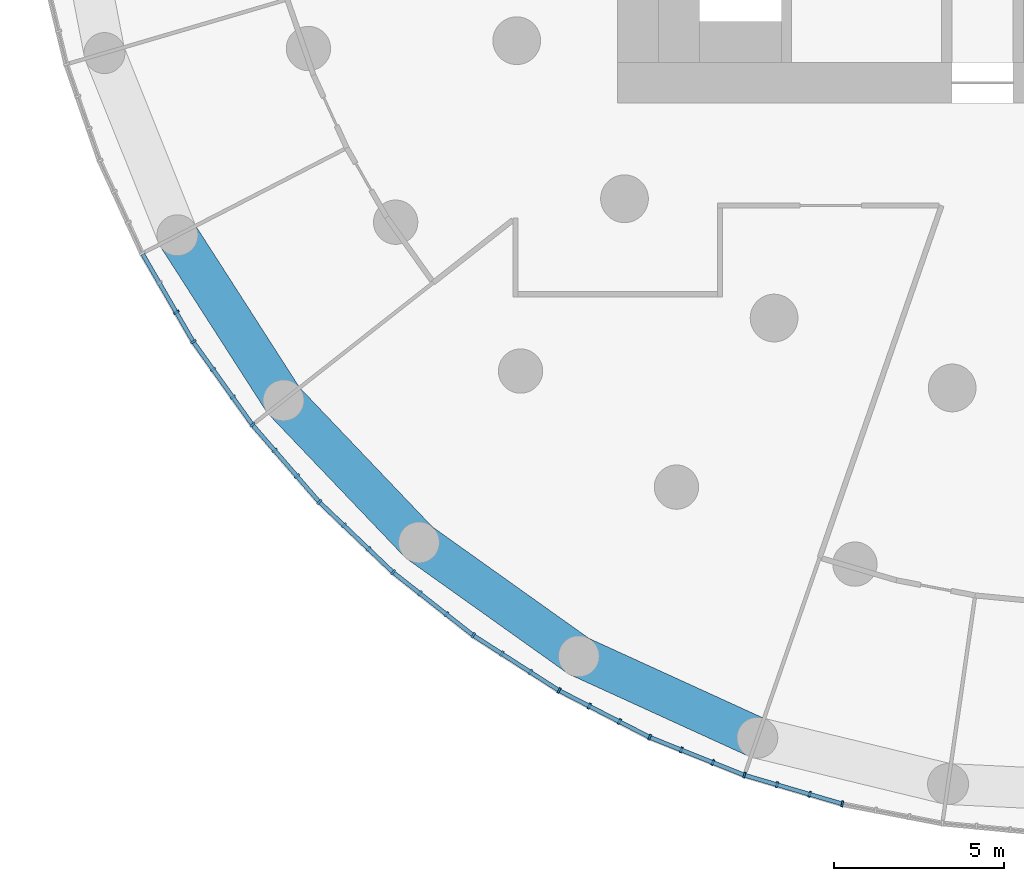
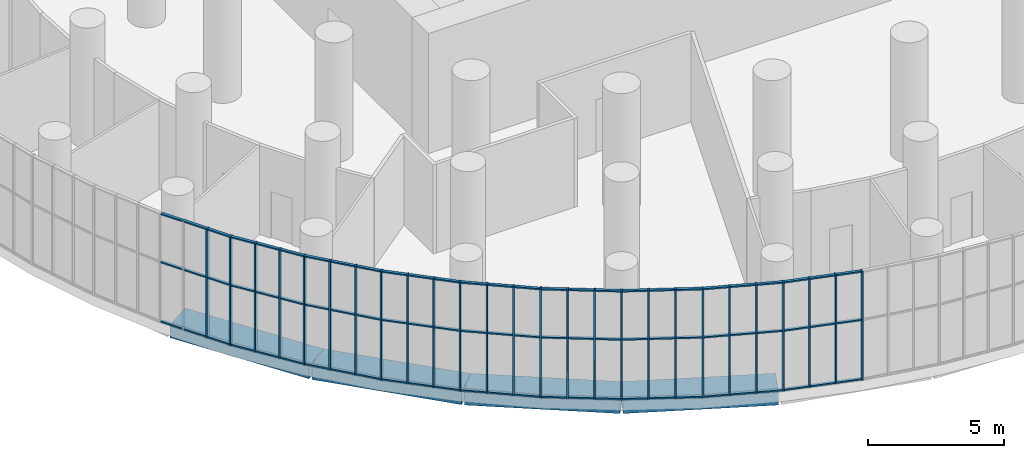
# One storey, part 2 of 27: 53 members, 4 beams, 10 elements without a shape of their own.
"""IFC4 building model written with IfcOpenShell, lengths in metres."""

from ifc_helpers import new_model, si_unit, direction, frame, origin, origin_2d, place, context, subcontext, project, spatial, rectangle, extrude, material, layer, layer_set, material_profile, profile_set, type_object, element, aggregate, save


model = new_model("IFC4")

# Units and contexts
model_context = context("Model", 3, precision=1e-05, world=origin(), true_north=direction((0.0, 1.0)))
body_context = subcontext(model_context, "Body", "Model", "MODEL_VIEW")
ifc_project = project(units=[si_unit("LENGTHUNIT", "METRE"), si_unit("AREAUNIT", "SQUARE_METRE"), si_unit("VOLUMEUNIT", "CUBIC_METRE"), si_unit("PLANEANGLEUNIT", "RADIAN"), si_unit("MASSUNIT", "GRAM", prefix="KILO")], contexts=[model_context])

# Site, building, storey
site_placement = place(None, origin())
site = spatial("IfcSite", under=ifc_project, at=site_placement, CompositionType="ELEMENT")
building_placement = place(site_placement, origin())
building = spatial("IfcBuilding", under=site, at=building_placement, Name="Tracery Tower", CompositionType="ELEMENT")
storey_placement = place(building_placement, frame((0.0, 0.0, 114.60009765625)))
storey = spatial("IfcBuildingStorey", under=building, at=storey_placement, Name="L29", CompositionType="ELEMENT", Elevation=114.60009765625)

# Beams
ifc_material_1 = material(Name="Concrete C60/75", Category="concrete")
ifc_material_profile_1 = material_profile(ifc_material_1, rectangle(XDim=1.199951171875, YDim=0.60009765625, at=origin_2d()), Name="RC 1200x600")
ifc_profile_set_1 = profile_set([ifc_material_profile_1], Name="Concrete C60/75")
beam_type = type_object("IfcBeamType", Name="Perimeter band beam 1200x600", PredefinedType="BEAM", material=ifc_profile_set_1)
beam_1_placement = place(storey_placement, frame((-26.9091796875, -13.87255859375, -0.75), z_axis=(0.540643964602, -0.841251510274, 0.0), x_axis=(0.841251510274, 0.540643964602, 0.0)))
element("IfcBeam", 1, at=beam_1_placement, inside=storey, type_object=beam_type, Name="Perimeter beam 0.19 under L29", PredefinedType="BEAM", context=body_context, shape_type="SweptSolid", body=[
    extrude(rectangle(XDim=1.199951171875, YDim=0.60009765625, at=origin_2d()), origin(), (0.0, 0.0, 1.0), 5.755859375),
])
beam_2_placement = place(storey_placement, frame((-23.79736328125, -18.714599609375, -0.75), z_axis=(0.690087218267, -0.723726212863, 0.0), x_axis=(0.723726212863, 0.690087218267, 0.0)))
element("IfcBeam", 2, at=beam_2_placement, inside=storey, type_object=beam_type, Name="Perimeter beam 0.20 under L29", PredefinedType="BEAM", context=body_context, shape_type="SweptSolid", body=[
    extrude(rectangle(XDim=1.199951171875, YDim=0.60009765625, at=origin_2d()), origin(), (0.0, 0.0, 1.0), 5.75537109375),
])
for number, where, z_axis, x_axis, name in (
    (3, (-19.82568359375, -22.8798828125, -0.75), (0.8145780864, -0.580053912285, 0.0), (0.580053912285, 0.8145780864, 0.0), "Perimeter beam 0.21 under L29"),
    (4, (-15.13720703125, -26.218505859375, -0.75), (0.909618316865, -0.415444963411, 0.0), (0.415444963411, 0.909618316865, 0.0), "Perimeter beam 0.22 under L29"),
):
    element("IfcBeam", number, at=place(storey_placement, frame(where, z_axis=z_axis, x_axis=x_axis)), inside=storey, type_object=beam_type, Name=name, PredefinedType="BEAM", context=body_context, shape_type="SweptSolid", body=[
        extrude(rectangle(XDim=1.199951171875, YDim=0.60009765625, at=origin_2d()), origin(), (0.0, 0.0, 1.0), 5.755615234375),
    ])

# Curtain wall, member
ifc_material_2 = material(Name="Aluminium curtain wall with tinted glass", Category="aluminium")
ifc_layer = layer(ifc_material_2, 0.179931640625)
ifc_layer_set = layer_set([ifc_layer], Name="Sky lounge 1 tracery curtain wall")
curtain_wall_type = type_object("IfcCurtainWallType", Name="Sky lounge 1 tracery curtain wall", PredefinedType="NOTDEFINED", material=ifc_layer_set)
curtain_wall_1_placement = place(storey_placement, origin())
curtain_wall_1 = element("IfcCurtainWall", 5, at=curtain_wall_1_placement, inside=storey, type_object=curtain_wall_type, Name="Sky lounge 1 curtain wall run 39", PredefinedType="NOTDEFINED")
ifc_material_3 = material(Name="Aluminium, bronze anodised", Category="aluminium")
ifc_material_profile_2 = material_profile(ifc_material_3, rectangle(XDim=0.179931640625, YDim=0.06005859375, at=origin_2d()), Name="AL 60x180")
ifc_profile_set_2 = profile_set([ifc_material_profile_2], Name="Aluminium, bronze anodised")
member_type_1 = type_object("IfcMemberType", Name="Sky lounge 1 mullion 60 x 180", PredefinedType="MULLION", material=ifc_profile_set_2)
member_1_placement = place(storey_placement, frame((-26.94287109375, -16.131103515625, 0.0), z_axis=(0.0, 0.0, 1.0), x_axis=(0.866025403784, 0.5, 0.0)))
member_1 = element("IfcMember", 6, at=member_1_placement, type_object=member_type_1, Name="Sky lounge 1 curtain wall run 39 mullion 3", PredefinedType="MULLION", context=body_context, shape_type="SweptSolid", body=[
    extrude(rectangle(XDim=0.179931640625, YDim=0.06005859375, at=origin_2d()), origin(), (0.0, 0.0, 1.0), 4.89990234375),
])

# Curtain wall, members
curtain_wall_2_placement = place(storey_placement, origin())
curtain_wall_2 = element("IfcCurtainWall", 7, at=curtain_wall_2_placement, inside=storey, type_object=curtain_wall_type, Name="Sky lounge 1 curtain wall run 40", PredefinedType="NOTDEFINED")
member_2_placement = place(storey_placement, frame((-26.4443359375, -16.994873046875, 0.0), z_axis=(0.0, 0.0, 1.0), x_axis=(0.814575952046, 0.580056909578, 0.0)))
member_2 = element("IfcMember", 8, at=member_2_placement, type_object=member_type_1, Name="Sky lounge 1 curtain wall run 40 mullion 1", PredefinedType="MULLION", context=body_context, shape_type="SweptSolid", body=[
    extrude(rectangle(XDim=0.179931640625, YDim=0.06005859375, at=origin_2d()), origin(), (0.0, 0.0, 1.0), 4.89990234375),
])
member_3_placement = place(storey_placement, frame((-25.865966796875, -17.80712890625, 0.0), z_axis=(0.0, 0.0, 1.0), x_axis=(0.814575952046, 0.580056909578, 0.0)))
member_3 = element("IfcMember", 9, at=member_3_placement, type_object=member_type_1, Name="Sky lounge 1 curtain wall run 40 mullion 2", PredefinedType="MULLION", context=body_context, shape_type="SweptSolid", body=[
    extrude(rectangle(XDim=0.179931640625, YDim=0.06005859375, at=origin_2d()), origin(), (0.0, 0.0, 1.0), 4.89990234375),
])
member_4_placement = place(storey_placement, frame((-25.28759765625, -18.619384765625, 0.0), z_axis=(0.0, 0.0, 1.0), x_axis=(0.814575952046, 0.580056909578, 0.0)))
member_4 = element("IfcMember", 10, at=member_4_placement, type_object=member_type_1, Name="Sky lounge 1 curtain wall run 40 mullion 3", PredefinedType="MULLION", context=body_context, shape_type="SweptSolid", body=[
    extrude(rectangle(XDim=0.179931640625, YDim=0.06005859375, at=origin_2d()), origin(), (0.0, 0.0, 1.0), 4.89990234375),
])

curtain_wall_3_placement = place(storey_placement, origin())
curtain_wall_3 = element("IfcCurtainWall", 11, at=curtain_wall_3_placement, inside=storey, type_object=curtain_wall_type, Name="Sky lounge 1 curtain wall run 41", PredefinedType="NOTDEFINED")
member_5_placement = place(storey_placement, frame((-24.709228515625, -19.431396484375, 0.0), z_axis=(0.0, 0.0, 1.0), x_axis=(0.755749574355, 0.654860733944, 0.0)))
member_5 = element("IfcMember", 12, at=member_5_placement, type_object=member_type_1, Name="Sky lounge 1 curtain wall run 41 mullion 1", PredefinedType="MULLION", context=body_context, shape_type="SweptSolid", body=[
    extrude(rectangle(XDim=0.179931640625, YDim=0.06005859375, at=origin_2d()), origin(), (0.0, 0.0, 1.0), 4.89990234375),
])
member_6_placement = place(storey_placement, frame((-24.05615234375, -20.18505859375, 0.0), z_axis=(0.0, 0.0, 1.0), x_axis=(0.755749574355, 0.654860733944, 0.0)))
member_6 = element("IfcMember", 13, at=member_6_placement, type_object=member_type_1, Name="Sky lounge 1 curtain wall run 41 mullion 2", PredefinedType="MULLION", context=body_context, shape_type="SweptSolid", body=[
    extrude(rectangle(XDim=0.179931640625, YDim=0.06005859375, at=origin_2d()), origin(), (0.0, 0.0, 1.0), 4.89990234375),
])
member_7_placement = place(storey_placement, frame((-23.4033203125, -20.938720703125, 0.0), z_axis=(0.0, 0.0, 1.0), x_axis=(0.755749574355, 0.654860733944, 0.0)))
member_7 = element("IfcMember", 14, at=member_7_placement, type_object=member_type_1, Name="Sky lounge 1 curtain wall run 41 mullion 3", PredefinedType="MULLION", context=body_context, shape_type="SweptSolid", body=[
    extrude(rectangle(XDim=0.179931640625, YDim=0.06005859375, at=origin_2d()), origin(), (0.0, 0.0, 1.0), 4.89990234375),
])

curtain_wall_4_placement = place(storey_placement, origin())
curtain_wall_4 = element("IfcCurtainWall", 15, at=curtain_wall_4_placement, inside=storey, type_object=curtain_wall_type, Name="Sky lounge 1 curtain wall run 42", PredefinedType="NOTDEFINED")
member_8_placement = place(storey_placement, frame((-22.750244140625, -21.6923828125, 0.0), z_axis=(0.0, 0.0, 1.0), x_axis=(0.690079011478, 0.723734038109, 0.0)))
member_8 = element("IfcMember", 16, at=member_8_placement, type_object=member_type_1, Name="Sky lounge 1 curtain wall run 42 mullion 1", PredefinedType="MULLION", context=body_context, shape_type="SweptSolid", body=[
    extrude(rectangle(XDim=0.179931640625, YDim=0.06005859375, at=origin_2d()), origin(), (0.0, 0.0, 1.0), 4.89990234375),
])
member_9_placement = place(storey_placement, frame((-22.028564453125, -22.38037109375, 0.0), z_axis=(0.0, 0.0, 1.0), x_axis=(0.690079011478, 0.723734038109, 0.0)))
member_9 = element("IfcMember", 17, at=member_9_placement, type_object=member_type_1, Name="Sky lounge 1 curtain wall run 42 mullion 2", PredefinedType="MULLION", context=body_context, shape_type="SweptSolid", body=[
    extrude(rectangle(XDim=0.179931640625, YDim=0.06005859375, at=origin_2d()), origin(), (0.0, 0.0, 1.0), 4.89990234375),
])
member_10_placement = place(storey_placement, frame((-21.306884765625, -23.068603515625, 0.0), z_axis=(0.0, 0.0, 1.0), x_axis=(0.690079011478, 0.723734038109, 0.0)))
member_10 = element("IfcMember", 18, at=member_10_placement, type_object=member_type_1, Name="Sky lounge 1 curtain wall run 42 mullion 3", PredefinedType="MULLION", context=body_context, shape_type="SweptSolid", body=[
    extrude(rectangle(XDim=0.179931640625, YDim=0.06005859375, at=origin_2d()), origin(), (0.0, 0.0, 1.0), 4.89990234375),
])

curtain_wall_5_placement = place(storey_placement, origin())
curtain_wall_5 = element("IfcCurtainWall", 19, at=curtain_wall_5_placement, inside=storey, type_object=curtain_wall_type, Name="Sky lounge 1 curtain wall run 43", PredefinedType="NOTDEFINED")
member_11_placement = place(storey_placement, frame((-20.585205078125, -23.756591796875, 0.0), z_axis=(0.0, 0.0, 1.0), x_axis=(0.618158986223, 0.786053094741, 0.0)))
member_11 = element("IfcMember", 20, at=member_11_placement, type_object=member_type_1, Name="Sky lounge 1 curtain wall run 43 mullion 1", PredefinedType="MULLION", context=body_context, shape_type="SweptSolid", body=[
    extrude(rectangle(XDim=0.179931640625, YDim=0.06005859375, at=origin_2d()), origin(), (0.0, 0.0, 1.0), 4.89990234375),
])
member_12_placement = place(storey_placement, frame((-19.801513671875, -24.373046875, 0.0), z_axis=(0.0, 0.0, 1.0), x_axis=(0.618158986223, 0.786053094741, 0.0)))
member_12 = element("IfcMember", 21, at=member_12_placement, type_object=member_type_1, Name="Sky lounge 1 curtain wall run 43 mullion 2", PredefinedType="MULLION", context=body_context, shape_type="SweptSolid", body=[
    extrude(rectangle(XDim=0.179931640625, YDim=0.06005859375, at=origin_2d()), origin(), (0.0, 0.0, 1.0), 4.89990234375),
])
member_13_placement = place(storey_placement, frame((-19.017578125, -24.989501953125, 0.0), z_axis=(0.0, 0.0, 1.0), x_axis=(0.618158986223, 0.786053094741, 0.0)))
member_13 = element("IfcMember", 22, at=member_13_placement, type_object=member_type_1, Name="Sky lounge 1 curtain wall run 43 mullion 3", PredefinedType="MULLION", context=body_context, shape_type="SweptSolid", body=[
    extrude(rectangle(XDim=0.179931640625, YDim=0.06005859375, at=origin_2d()), origin(), (0.0, 0.0, 1.0), 4.89990234375),
])

curtain_wall_6_placement = place(storey_placement, origin())
curtain_wall_6 = element("IfcCurtainWall", 23, at=curtain_wall_6_placement, inside=storey, type_object=curtain_wall_type, Name="Sky lounge 1 curtain wall run 44", PredefinedType="NOTDEFINED")
member_14_placement = place(storey_placement, frame((-18.23388671875, -25.605712890625, 0.0), z_axis=(0.0, 0.0, 1.0), x_axis=(0.540640817452, 0.841253532834, 0.0)))
member_14 = element("IfcMember", 24, at=member_14_placement, type_object=member_type_1, Name="Sky lounge 1 curtain wall run 44 mullion 1", PredefinedType="MULLION", context=body_context, shape_type="SweptSolid", body=[
    extrude(rectangle(XDim=0.179931640625, YDim=0.06005859375, at=origin_2d()), origin(), (0.0, 0.0, 1.0), 4.89990234375),
])
member_15_placement = place(storey_placement, frame((-17.39501953125, -26.144775390625, 0.0), z_axis=(0.0, 0.0, 1.0), x_axis=(0.540640817452, 0.841253532834, 0.0)))
member_15 = element("IfcMember", 25, at=member_15_placement, type_object=member_type_1, Name="Sky lounge 1 curtain wall run 44 mullion 2", PredefinedType="MULLION", context=body_context, shape_type="SweptSolid", body=[
    extrude(rectangle(XDim=0.179931640625, YDim=0.06005859375, at=origin_2d()), origin(), (0.0, 0.0, 1.0), 4.89990234375),
])
member_16_placement = place(storey_placement, frame((-16.55615234375, -26.68408203125, 0.0), z_axis=(0.0, 0.0, 1.0), x_axis=(0.540640817452, 0.841253532834, 0.0)))
member_16 = element("IfcMember", 26, at=member_16_placement, type_object=member_type_1, Name="Sky lounge 1 curtain wall run 44 mullion 3", PredefinedType="MULLION", context=body_context, shape_type="SweptSolid", body=[
    extrude(rectangle(XDim=0.179931640625, YDim=0.06005859375, at=origin_2d()), origin(), (0.0, 0.0, 1.0), 4.89990234375),
])

curtain_wall_7_placement = place(storey_placement, origin())
curtain_wall_7 = element("IfcCurtainWall", 27, at=curtain_wall_7_placement, inside=storey, type_object=curtain_wall_type, Name="Sky lounge 1 curtain wall run 45", PredefinedType="NOTDEFINED")
member_17_placement = place(storey_placement, frame((-15.71728515625, -27.22314453125, 0.0), z_axis=(0.0, 0.0, 1.0), x_axis=(0.458226521732, 0.888835448653, 0.0)))
member_17 = element("IfcMember", 28, at=member_17_placement, type_object=member_type_1, Name="Sky lounge 1 curtain wall run 45 mullion 1", PredefinedType="MULLION", context=body_context, shape_type="SweptSolid", body=[
    extrude(rectangle(XDim=0.179931640625, YDim=0.06005859375, at=origin_2d()), origin(), (0.0, 0.0, 1.0), 4.89990234375),
])
member_18_placement = place(storey_placement, frame((-14.8310546875, -27.679931640625, 0.0), z_axis=(0.0, 0.0, 1.0), x_axis=(0.458226521732, 0.888835448653, 0.0)))
member_18 = element("IfcMember", 29, at=member_18_placement, type_object=member_type_1, Name="Sky lounge 1 curtain wall run 45 mullion 2", PredefinedType="MULLION", context=body_context, shape_type="SweptSolid", body=[
    extrude(rectangle(XDim=0.179931640625, YDim=0.06005859375, at=origin_2d()), origin(), (0.0, 0.0, 1.0), 4.89990234375),
])
member_19_placement = place(storey_placement, frame((-13.944580078125, -28.136962890625, 0.0), z_axis=(0.0, 0.0, 1.0), x_axis=(0.458226521732, 0.888835448653, 0.0)))
member_19 = element("IfcMember", 30, at=member_19_placement, type_object=member_type_1, Name="Sky lounge 1 curtain wall run 45 mullion 3", PredefinedType="MULLION", context=body_context, shape_type="SweptSolid", body=[
    extrude(rectangle(XDim=0.179931640625, YDim=0.06005859375, at=origin_2d()), origin(), (0.0, 0.0, 1.0), 4.89990234375),
])

curtain_wall_8_placement = place(storey_placement, origin())
curtain_wall_8 = element("IfcCurtainWall", 31, at=curtain_wall_8_placement, inside=storey, type_object=curtain_wall_type, Name="Sky lounge 1 curtain wall run 46", PredefinedType="NOTDEFINED")
member_20_placement = place(storey_placement, frame((-13.058349609375, -28.59375, 0.0), z_axis=(0.0, 0.0, 1.0), x_axis=(0.371662455657, 0.928367933017, 0.0)))
member_20 = element("IfcMember", 32, at=member_20_placement, type_object=member_type_1, Name="Sky lounge 1 curtain wall run 46 mullion 1", PredefinedType="MULLION", context=body_context, shape_type="SweptSolid", body=[
    extrude(rectangle(XDim=0.179931640625, YDim=0.06005859375, at=origin_2d()), origin(), (0.0, 0.0, 1.0), 4.89990234375),
])
member_21_placement = place(storey_placement, frame((-12.132568359375, -28.96435546875, 0.0), z_axis=(0.0, 0.0, 1.0), x_axis=(0.371662455657, 0.928367933017, 0.0)))
member_21 = element("IfcMember", 33, at=member_21_placement, type_object=member_type_1, Name="Sky lounge 1 curtain wall run 46 mullion 2", PredefinedType="MULLION", context=body_context, shape_type="SweptSolid", body=[
    extrude(rectangle(XDim=0.179931640625, YDim=0.06005859375, at=origin_2d()), origin(), (0.0, 0.0, 1.0), 4.89990234375),
])
member_22_placement = place(storey_placement, frame((-11.20703125, -29.3349609375, 0.0), z_axis=(0.0, 0.0, 1.0), x_axis=(0.371662455657, 0.928367933017, 0.0)))
member_22 = element("IfcMember", 34, at=member_22_placement, type_object=member_type_1, Name="Sky lounge 1 curtain wall run 46 mullion 3", PredefinedType="MULLION", context=body_context, shape_type="SweptSolid", body=[
    extrude(rectangle(XDim=0.179931640625, YDim=0.06005859375, at=origin_2d()), origin(), (0.0, 0.0, 1.0), 4.89990234375),
])

curtain_wall_9_placement = place(storey_placement, origin())
curtain_wall_9 = element("IfcCurtainWall", 35, at=curtain_wall_9_placement, inside=storey, type_object=curtain_wall_type, Name="Sky lounge 1 curtain wall run 47", PredefinedType="NOTDEFINED")
member_23_placement = place(storey_placement, frame((-10.28125, -29.70556640625, 0.0), z_axis=(0.0, 0.0, 1.0), x_axis=(0.281732556848, 0.959492973613, 0.0)))
member_23 = element("IfcMember", 36, at=member_23_placement, type_object=member_type_1, Name="Sky lounge 1 curtain wall run 47 mullion 1", PredefinedType="MULLION", context=body_context, shape_type="SweptSolid", body=[
    extrude(rectangle(XDim=0.179931640625, YDim=0.06005859375, at=origin_2d()), origin(), (0.0, 0.0, 1.0), 4.89990234375),
])
member_24_placement = place(storey_placement, frame((-9.324462890625, -29.986572265625, 0.0), z_axis=(0.0, 0.0, 1.0), x_axis=(0.281732556848, 0.959492973613, 0.0)))
member_24 = element("IfcMember", 37, at=member_24_placement, type_object=member_type_1, Name="Sky lounge 1 curtain wall run 47 mullion 2", PredefinedType="MULLION", context=body_context, shape_type="SweptSolid", body=[
    extrude(rectangle(XDim=0.179931640625, YDim=0.06005859375, at=origin_2d()), origin(), (0.0, 0.0, 1.0), 4.89990234375),
])
member_25_placement = place(storey_placement, frame((-8.36767578125, -30.267578125, 0.0), z_axis=(0.0, 0.0, 1.0), x_axis=(0.281732556848, 0.959492973613, 0.0)))
member_25 = element("IfcMember", 38, at=member_25_placement, type_object=member_type_1, Name="Sky lounge 1 curtain wall run 47 mullion 3", PredefinedType="MULLION", context=body_context, shape_type="SweptSolid", body=[
    extrude(rectangle(XDim=0.179931640625, YDim=0.06005859375, at=origin_2d()), origin(), (0.0, 0.0, 1.0), 4.89990234375),
])

# Curtain wall, member
curtain_wall_10_placement = place(storey_placement, origin())
curtain_wall_10 = element("IfcCurtainWall", 39, at=curtain_wall_10_placement, inside=storey, type_object=curtain_wall_type, Name="Sky lounge 1 curtain wall run 48", PredefinedType="NOTDEFINED")
member_26_placement = place(storey_placement, frame((-7.410888671875, -30.54833984375, 0.0), z_axis=(0.0, 0.0, 1.0), x_axis=(0.189251244359, 0.981928697263, 0.0)))
member_26 = element("IfcMember", 40, at=member_26_placement, type_object=member_type_1, Name="Sky lounge 1 curtain wall run 48 mullion 1", PredefinedType="MULLION", context=body_context, shape_type="SweptSolid", body=[
    extrude(rectangle(XDim=0.179931640625, YDim=0.06005859375, at=origin_2d()), origin(), (0.0, 0.0, 1.0), 4.89990234375),
])
aggregate(curtain_wall_10, [member_26])

# Member
ifc_material_4 = material(Name="Aluminium, bronze anodised", Category="aluminium")
ifc_material_profile_3 = material_profile(ifc_material_4, rectangle(XDim=0.1201171875, YDim=0.06005859375, at=origin_2d()), Name="AL 60x120")
ifc_profile_set_3 = profile_set([ifc_material_profile_3], Name="Aluminium, bronze anodised")
member_type_2 = type_object("IfcMemberType", Name="Sky lounge 1 transom 60 x 120", PredefinedType="USERDEFINED", material=ifc_profile_set_3)
member_27_placement = place(storey_placement, frame((-27.925048828125, -14.43017578125, 0.02978515625), z_axis=(0.499982003349, -0.866035793907, 0.0), x_axis=(0.866035793907, 0.499982003349, 0.0)))
member_27 = element("IfcMember", 41, at=member_27_placement, type_object=member_type_2, Name="Sky lounge 1 curtain wall run 39 transom 1", ObjectType="TRANSOM", PredefinedType="USERDEFINED", context=body_context, shape_type="SweptSolid", body=[
    extrude(rectangle(XDim=0.1201171875, YDim=0.06005859375, at=origin_2d()), origin(), (0.0, 0.0, 1.0), 2.93115234375),
])

member_28_placement = place(storey_placement, frame((-27.925048828125, -14.43017578125, 2.699951171875), z_axis=(0.499982003349, -0.866035793907, 0.0), x_axis=(0.866035793907, 0.499982003349, 0.0)))
member_28 = element("IfcMember", 42, at=member_28_placement, type_object=member_type_2, Name="Sky lounge 1 curtain wall run 39 transom 2", ObjectType="TRANSOM", PredefinedType="USERDEFINED", context=body_context, shape_type="SweptSolid", body=[
    extrude(rectangle(XDim=0.1201171875, YDim=0.06005859375, at=origin_2d()), origin(), (0.0, 0.0, 1.0), 2.93115234375),
])

member_29_placement = place(storey_placement, frame((-27.925048828125, -14.43017578125, 4.869873046875), z_axis=(0.499982003349, -0.866035793907, 0.0), x_axis=(0.866035793907, 0.499982003349, 0.0)))
member_29 = element("IfcMember", 43, at=member_29_placement, type_object=member_type_2, Name="Sky lounge 1 curtain wall run 39 transom 3", ObjectType="TRANSOM", PredefinedType="USERDEFINED", context=body_context, shape_type="SweptSolid", body=[
    extrude(rectangle(XDim=0.1201171875, YDim=0.06005859375, at=origin_2d()), origin(), (0.0, 0.0, 1.0), 2.93115234375),
])

aggregate(curtain_wall_1, [member_1, member_27, member_28, member_29])

member_30_placement = place(storey_placement, frame((-26.427001953125, -17.019287109375, 0.02978515625), z_axis=(0.58009523592, -0.814548658622, 0.0), x_axis=(0.814548658622, 0.58009523592, 0.0)))
member_30 = element("IfcMember", 44, at=member_30_placement, type_object=member_type_2, Name="Sky lounge 1 curtain wall run 40 transom 1", ObjectType="TRANSOM", PredefinedType="USERDEFINED", context=body_context, shape_type="SweptSolid", body=[
    extrude(rectangle(XDim=0.1201171875, YDim=0.06005859375, at=origin_2d()), origin(), (0.0, 0.0, 1.0), 2.931396484375),
])

member_31_placement = place(storey_placement, frame((-26.427001953125, -17.019287109375, 2.699951171875), z_axis=(0.58009523592, -0.814548658622, 0.0), x_axis=(0.814548658622, 0.58009523592, 0.0)))
member_31 = element("IfcMember", 45, at=member_31_placement, type_object=member_type_2, Name="Sky lounge 1 curtain wall run 40 transom 2", ObjectType="TRANSOM", PredefinedType="USERDEFINED", context=body_context, shape_type="SweptSolid", body=[
    extrude(rectangle(XDim=0.1201171875, YDim=0.06005859375, at=origin_2d()), origin(), (0.0, 0.0, 1.0), 2.931396484375),
])

member_32_placement = place(storey_placement, frame((-26.427001953125, -17.019287109375, 4.869873046875), z_axis=(0.58009523592, -0.814548658622, 0.0), x_axis=(0.814548658622, 0.58009523592, 0.0)))
member_32 = element("IfcMember", 46, at=member_32_placement, type_object=member_type_2, Name="Sky lounge 1 curtain wall run 40 transom 3", ObjectType="TRANSOM", PredefinedType="USERDEFINED", context=body_context, shape_type="SweptSolid", body=[
    extrude(rectangle(XDim=0.1201171875, YDim=0.06005859375, at=origin_2d()), origin(), (0.0, 0.0, 1.0), 2.931396484375),
])

aggregate(curtain_wall_2, [member_2, member_3, member_4, member_30, member_31, member_32])

member_33_placement = place(storey_placement, frame((-24.689453125, -19.4541015625, 0.02978515625), z_axis=(0.654835415785, -0.755771511923, 0.0), x_axis=(0.755771511923, 0.654835415785, 0.0)))
member_33 = element("IfcMember", 47, at=member_33_placement, type_object=member_type_2, Name="Sky lounge 1 curtain wall run 41 transom 1", ObjectType="TRANSOM", PredefinedType="USERDEFINED", context=body_context, shape_type="SweptSolid", body=[
    extrude(rectangle(XDim=0.1201171875, YDim=0.06005859375, at=origin_2d()), origin(), (0.0, 0.0, 1.0), 2.931640625),
])

member_34_placement = place(storey_placement, frame((-24.689453125, -19.4541015625, 2.699951171875), z_axis=(0.654835415785, -0.755771511923, 0.0), x_axis=(0.755771511923, 0.654835415785, 0.0)))
member_34 = element("IfcMember", 48, at=member_34_placement, type_object=member_type_2, Name="Sky lounge 1 curtain wall run 41 transom 2", ObjectType="TRANSOM", PredefinedType="USERDEFINED", context=body_context, shape_type="SweptSolid", body=[
    extrude(rectangle(XDim=0.1201171875, YDim=0.06005859375, at=origin_2d()), origin(), (0.0, 0.0, 1.0), 2.931640625),
])

member_35_placement = place(storey_placement, frame((-24.689453125, -19.4541015625, 4.869873046875), z_axis=(0.654835415785, -0.755771511923, 0.0), x_axis=(0.755771511923, 0.654835415785, 0.0)))
member_35 = element("IfcMember", 49, at=member_35_placement, type_object=member_type_2, Name="Sky lounge 1 curtain wall run 41 transom 3", ObjectType="TRANSOM", PredefinedType="USERDEFINED", context=body_context, shape_type="SweptSolid", body=[
    extrude(rectangle(XDim=0.1201171875, YDim=0.06005859375, at=origin_2d()), origin(), (0.0, 0.0, 1.0), 2.931640625),
])

aggregate(curtain_wall_3, [member_5, member_6, member_7, member_33, member_34, member_35])

member_36_placement = place(storey_placement, frame((-22.728515625, -21.712890625, 0.02978515625), z_axis=(0.723729806438, -0.690083449499, 0.0), x_axis=(0.690083449499, 0.723729806438, 0.0)))
member_36 = element("IfcMember", 50, at=member_36_placement, type_object=member_type_2, Name="Sky lounge 1 curtain wall run 42 transom 1", ObjectType="TRANSOM", PredefinedType="USERDEFINED", context=body_context, shape_type="SweptSolid", body=[
    extrude(rectangle(XDim=0.1201171875, YDim=0.06005859375, at=origin_2d()), origin(), (0.0, 0.0, 1.0), 2.931396484375),
])

member_37_placement = place(storey_placement, frame((-22.728515625, -21.712890625, 2.699951171875), z_axis=(0.723729806438, -0.690083449499, 0.0), x_axis=(0.690083449499, 0.723729806438, 0.0)))
member_37 = element("IfcMember", 51, at=member_37_placement, type_object=member_type_2, Name="Sky lounge 1 curtain wall run 42 transom 2", ObjectType="TRANSOM", PredefinedType="USERDEFINED", context=body_context, shape_type="SweptSolid", body=[
    extrude(rectangle(XDim=0.1201171875, YDim=0.06005859375, at=origin_2d()), origin(), (0.0, 0.0, 1.0), 2.931396484375),
])

member_38_placement = place(storey_placement, frame((-22.728515625, -21.712890625, 4.869873046875), z_axis=(0.723729806438, -0.690083449499, 0.0), x_axis=(0.690083449499, 0.723729806438, 0.0)))
member_38 = element("IfcMember", 52, at=member_38_placement, type_object=member_type_2, Name="Sky lounge 1 curtain wall run 42 transom 3", ObjectType="TRANSOM", PredefinedType="USERDEFINED", context=body_context, shape_type="SweptSolid", body=[
    extrude(rectangle(XDim=0.1201171875, YDim=0.06005859375, at=origin_2d()), origin(), (0.0, 0.0, 1.0), 2.931396484375),
])

aggregate(curtain_wall_4, [member_8, member_9, member_10, member_36, member_37, member_38])

member_39_placement = place(storey_placement, frame((-20.5615234375, -23.775146484375, 0.02978515625), z_axis=(0.786058162974, -0.618152541385, 0.0), x_axis=(0.618152541385, 0.786058162974, 0.0)))
member_39 = element("IfcMember", 53, at=member_39_placement, type_object=member_type_2, Name="Sky lounge 1 curtain wall run 43 transom 1", ObjectType="TRANSOM", PredefinedType="USERDEFINED", context=body_context, shape_type="SweptSolid", body=[
    extrude(rectangle(XDim=0.1201171875, YDim=0.06005859375, at=origin_2d()), origin(), (0.0, 0.0, 1.0), 2.931396484375),
])

member_40_placement = place(storey_placement, frame((-20.5615234375, -23.775146484375, 2.699951171875), z_axis=(0.786058162974, -0.618152541385, 0.0), x_axis=(0.618152541385, 0.786058162974, 0.0)))
member_40 = element("IfcMember", 54, at=member_40_placement, type_object=member_type_2, Name="Sky lounge 1 curtain wall run 43 transom 2", ObjectType="TRANSOM", PredefinedType="USERDEFINED", context=body_context, shape_type="SweptSolid", body=[
    extrude(rectangle(XDim=0.1201171875, YDim=0.06005859375, at=origin_2d()), origin(), (0.0, 0.0, 1.0), 2.931396484375),
])

member_41_placement = place(storey_placement, frame((-20.5615234375, -23.775146484375, 4.869873046875), z_axis=(0.786058162974, -0.618152541385, 0.0), x_axis=(0.618152541385, 0.786058162974, 0.0)))
member_41 = element("IfcMember", 55, at=member_41_placement, type_object=member_type_2, Name="Sky lounge 1 curtain wall run 43 transom 3", ObjectType="TRANSOM", PredefinedType="USERDEFINED", context=body_context, shape_type="SweptSolid", body=[
    extrude(rectangle(XDim=0.1201171875, YDim=0.06005859375, at=origin_2d()), origin(), (0.0, 0.0, 1.0), 2.931396484375),
])

aggregate(curtain_wall_5, [member_11, member_12, member_13, member_39, member_40, member_41])

member_42_placement = place(storey_placement, frame((-18.20849609375, -25.6220703125, 0.02978515625), z_axis=(0.841273174136, -0.540610253768, 0.0), x_axis=(0.540610253768, 0.841273174136, 0.0)))
member_42 = element("IfcMember", 56, at=member_42_placement, type_object=member_type_2, Name="Sky lounge 1 curtain wall run 44 transom 1", ObjectType="TRANSOM", PredefinedType="USERDEFINED", context=body_context, shape_type="SweptSolid", body=[
    extrude(rectangle(XDim=0.1201171875, YDim=0.06005859375, at=origin_2d()), origin(), (0.0, 0.0, 1.0), 2.931396484375),
])

member_43_placement = place(storey_placement, frame((-18.20849609375, -25.6220703125, 2.699951171875), z_axis=(0.841273174136, -0.540610253768, 0.0), x_axis=(0.540610253768, 0.841273174136, 0.0)))
member_43 = element("IfcMember", 57, at=member_43_placement, type_object=member_type_2, Name="Sky lounge 1 curtain wall run 44 transom 2", ObjectType="TRANSOM", PredefinedType="USERDEFINED", context=body_context, shape_type="SweptSolid", body=[
    extrude(rectangle(XDim=0.1201171875, YDim=0.06005859375, at=origin_2d()), origin(), (0.0, 0.0, 1.0), 2.931396484375),
])

member_44_placement = place(storey_placement, frame((-18.20849609375, -25.6220703125, 4.869873046875), z_axis=(0.841273174136, -0.540610253768, 0.0), x_axis=(0.540610253768, 0.841273174136, 0.0)))
member_44 = element("IfcMember", 58, at=member_44_placement, type_object=member_type_2, Name="Sky lounge 1 curtain wall run 44 transom 3", ObjectType="TRANSOM", PredefinedType="USERDEFINED", context=body_context, shape_type="SweptSolid", body=[
    extrude(rectangle(XDim=0.1201171875, YDim=0.06005859375, at=origin_2d()), origin(), (0.0, 0.0, 1.0), 2.931396484375),
])

aggregate(curtain_wall_6, [member_14, member_15, member_16, member_42, member_43, member_44])

member_45_placement = place(storey_placement, frame((-15.690673828125, -27.23681640625, 0.02978515625), z_axis=(0.888846096412, -0.458205867372, 0.0), x_axis=(0.458205867372, 0.888846096412, 0.0)))
member_45 = element("IfcMember", 59, at=member_45_placement, type_object=member_type_2, Name="Sky lounge 1 curtain wall run 45 transom 1", ObjectType="TRANSOM", PredefinedType="USERDEFINED", context=body_context, shape_type="SweptSolid", body=[
    extrude(rectangle(XDim=0.1201171875, YDim=0.06005859375, at=origin_2d()), origin(), (0.0, 0.0, 1.0), 2.931640625),
])

member_46_placement = place(storey_placement, frame((-15.690673828125, -27.23681640625, 2.699951171875), z_axis=(0.888846096412, -0.458205867372, 0.0), x_axis=(0.458205867372, 0.888846096412, 0.0)))
member_46 = element("IfcMember", 60, at=member_46_placement, type_object=member_type_2, Name="Sky lounge 1 curtain wall run 45 transom 2", ObjectType="TRANSOM", PredefinedType="USERDEFINED", context=body_context, shape_type="SweptSolid", body=[
    extrude(rectangle(XDim=0.1201171875, YDim=0.06005859375, at=origin_2d()), origin(), (0.0, 0.0, 1.0), 2.931640625),
])

member_47_placement = place(storey_placement, frame((-15.690673828125, -27.23681640625, 4.869873046875), z_axis=(0.888846096412, -0.458205867372, 0.0), x_axis=(0.458205867372, 0.888846096412, 0.0)))
member_47 = element("IfcMember", 61, at=member_47_placement, type_object=member_type_2, Name="Sky lounge 1 curtain wall run 45 transom 3", ObjectType="TRANSOM", PredefinedType="USERDEFINED", context=body_context, shape_type="SweptSolid", body=[
    extrude(rectangle(XDim=0.1201171875, YDim=0.06005859375, at=origin_2d()), origin(), (0.0, 0.0, 1.0), 2.931640625),
])

aggregate(curtain_wall_7, [member_17, member_18, member_19, member_45, member_46, member_47])

member_48_placement = place(storey_placement, frame((-13.030517578125, -28.60498046875, 0.02978515625), z_axis=(0.928356025106, -0.371692198802, 0.0), x_axis=(0.371692198802, 0.928356025106, 0.0)))
member_48 = element("IfcMember", 62, at=member_48_placement, type_object=member_type_2, Name="Sky lounge 1 curtain wall run 46 transom 1", ObjectType="TRANSOM", PredefinedType="USERDEFINED", context=body_context, shape_type="SweptSolid", body=[
    extrude(rectangle(XDim=0.1201171875, YDim=0.06005859375, at=origin_2d()), origin(), (0.0, 0.0, 1.0), 2.931396484375),
])

member_49_placement = place(storey_placement, frame((-13.030517578125, -28.60498046875, 2.699951171875), z_axis=(0.928356025106, -0.371692198802, 0.0), x_axis=(0.371692198802, 0.928356025106, 0.0)))
member_49 = element("IfcMember", 63, at=member_49_placement, type_object=member_type_2, Name="Sky lounge 1 curtain wall run 46 transom 2", ObjectType="TRANSOM", PredefinedType="USERDEFINED", context=body_context, shape_type="SweptSolid", body=[
    extrude(rectangle(XDim=0.1201171875, YDim=0.06005859375, at=origin_2d()), origin(), (0.0, 0.0, 1.0), 2.931396484375),
])

member_50_placement = place(storey_placement, frame((-13.030517578125, -28.60498046875, 4.869873046875), z_axis=(0.928356025106, -0.371692198802, 0.0), x_axis=(0.371692198802, 0.928356025106, 0.0)))
member_50 = element("IfcMember", 64, at=member_50_placement, type_object=member_type_2, Name="Sky lounge 1 curtain wall run 46 transom 3", ObjectType="TRANSOM", PredefinedType="USERDEFINED", context=body_context, shape_type="SweptSolid", body=[
    extrude(rectangle(XDim=0.1201171875, YDim=0.06005859375, at=origin_2d()), origin(), (0.0, 0.0, 1.0), 2.931396484375),
])

aggregate(curtain_wall_8, [member_20, member_21, member_22, member_48, member_49, member_50])

member_51_placement = place(storey_placement, frame((-10.25244140625, -29.714111328125, 0.02978515625), z_axis=(0.959490065478, -0.281742460855, 0.0), x_axis=(0.281742460855, 0.959490065478, 0.0)))
member_51 = element("IfcMember", 65, at=member_51_placement, type_object=member_type_2, Name="Sky lounge 1 curtain wall run 47 transom 1", ObjectType="TRANSOM", PredefinedType="USERDEFINED", context=body_context, shape_type="SweptSolid", body=[
    extrude(rectangle(XDim=0.1201171875, YDim=0.06005859375, at=origin_2d()), origin(), (0.0, 0.0, 1.0), 2.931396484375),
])

member_52_placement = place(storey_placement, frame((-10.25244140625, -29.714111328125, 2.699951171875), z_axis=(0.959490065478, -0.281742460855, 0.0), x_axis=(0.281742460855, 0.959490065478, 0.0)))
member_52 = element("IfcMember", 66, at=member_52_placement, type_object=member_type_2, Name="Sky lounge 1 curtain wall run 47 transom 2", ObjectType="TRANSOM", PredefinedType="USERDEFINED", context=body_context, shape_type="SweptSolid", body=[
    extrude(rectangle(XDim=0.1201171875, YDim=0.06005859375, at=origin_2d()), origin(), (0.0, 0.0, 1.0), 2.931396484375),
])

member_53_placement = place(storey_placement, frame((-10.25244140625, -29.714111328125, 4.869873046875), z_axis=(0.959490065478, -0.281742460855, 0.0), x_axis=(0.281742460855, 0.959490065478, 0.0)))
member_53 = element("IfcMember", 67, at=member_53_placement, type_object=member_type_2, Name="Sky lounge 1 curtain wall run 47 transom 3", ObjectType="TRANSOM", PredefinedType="USERDEFINED", context=body_context, shape_type="SweptSolid", body=[
    extrude(rectangle(XDim=0.1201171875, YDim=0.06005859375, at=origin_2d()), origin(), (0.0, 0.0, 1.0), 2.931396484375),
])

aggregate(curtain_wall_9, [member_23, member_24, member_25, member_51, member_52, member_53])

save(model, "model.ifc")
